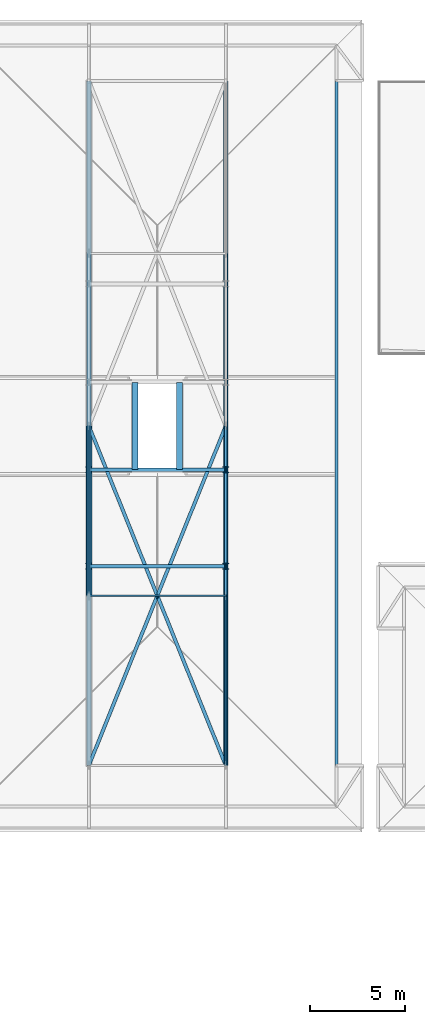
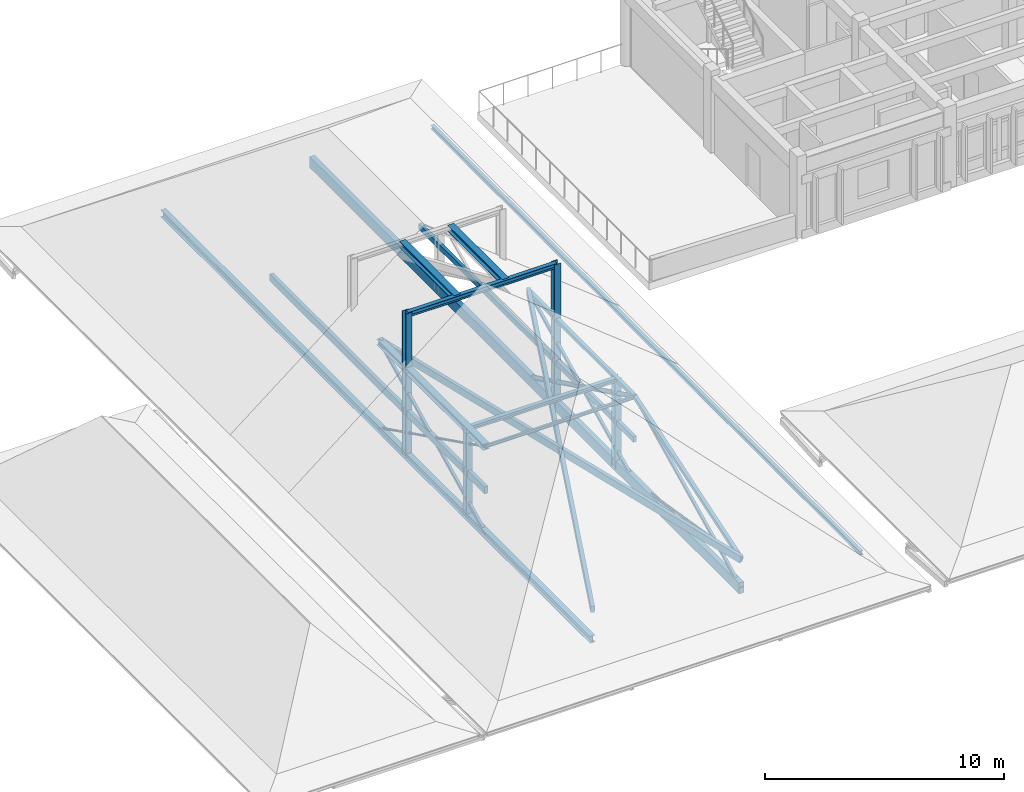
# One storey, part 3 of 51: 21 members, 4 beams.
"""IFC4 building model written with IfcOpenShell, lengths in metres."""

from ifc_helpers import new_model, si_unit, direction, frame, origin, origin_2d, place, context, subcontext, project, spatial, rectangle, hollow_rectangle, hollow_circle, i_section, extrude, material, material_profile, profile_set, type_object, element, save


model = new_model("IFC4")

# Units and contexts
model_context = context("Model", 3, precision=1e-05, world=origin(), true_north=direction((0.0, 1.0)))
body_context = subcontext(model_context, "Body", "Model", "MODEL_VIEW")
ifc_project = project(units=[si_unit("LENGTHUNIT", "METRE"), si_unit("AREAUNIT", "SQUARE_METRE"), si_unit("VOLUMEUNIT", "CUBIC_METRE"), si_unit("PLANEANGLEUNIT", "RADIAN"), si_unit("MASSUNIT", "GRAM", prefix="KILO")], contexts=[model_context])

# Site, building, storey
site_placement = place(None, origin())
site = spatial("IfcSite", under=ifc_project, at=site_placement, CompositionType="ELEMENT")
building_placement = place(site_placement, origin())
building = spatial("IfcBuilding", under=site, at=building_placement, Name="Steenspoor Specialist Clinic", CompositionType="ELEMENT")
storey_placement = place(building_placement, frame((0.0, 0.0, 17.39990234375)))
storey = spatial("IfcBuildingStorey", under=building, at=storey_placement, Name="L04", CompositionType="ELEMENT", Elevation=17.39990234375)

# Beams
ifc_material_1 = material(Name="Glulam GL28h", Category="wood")
ifc_material_profile_1 = material_profile(ifc_material_1, rectangle(XDim=0.239990234375, YDim=0.56005859375, at=origin_2d()), Name="GL28H-240X560")
ifc_profile_set_1 = profile_set([ifc_material_profile_1], Name="Glulam GL28h")
beam_type_1 = type_object("IfcBeamType", Name="BM-GL-240X560", PredefinedType="BEAM", material=ifc_profile_set_1)
beam_1_placement = place(storey_placement, frame((44.39990234375, 72.35009765625, 0.300048828125), z_axis=(0.0, 1.0, 0.0), x_axis=(-1.0, 0.0, 0.0)))
element("IfcBeam", 1, at=beam_1_placement, inside=storey, type_object=beam_type_1, Name="ROOF TRUSS Bottom Tie Chord V5 3", PredefinedType="BEAM", context=body_context, shape_type="SweptSolid", body=[
    extrude(rectangle(XDim=0.239990234375, YDim=0.56005859375, at=origin_2d()), origin(), (0.0, 0.0, 1.0), 36.0),
])
ifc_material_2 = material(Name="Steel A992 Grade 50", Category="steel")
ifc_material_profile_2 = material_profile(ifc_material_2, i_section(OverallWidth=0.2041015625, OverallDepth=0.2060546875, WebThickness=0.0078125, FlangeThickness=0.0126953125, at=origin_2d()), Name="W200X52")
ifc_profile_set_2 = profile_set([ifc_material_profile_2], Name="Steel A992 Grade 50")
beam_type_2 = type_object("IfcBeamType", Name="BM-ST-W200X52", PredefinedType="JOIST", material=ifc_profile_set_2)
beam_2_placement = place(storey_placement, frame((37.199951171875, 82.822021484375, 4.6484375), z_axis=(1.0, 0.0, 0.0), x_axis=(0.0, 1.0, 0.0)))
element("IfcBeam", 2, at=beam_2_placement, inside=storey, type_object=beam_type_2, Name="Roof Sub-Facet Bearer V5 M S", PredefinedType="JOIST", context=body_context, shape_type="SweptSolid", body=[
    extrude(i_section(OverallWidth=0.2041015625, OverallDepth=0.2060546875, WebThickness=0.0078125, FlangeThickness=0.0126953125, at=origin_2d()), origin(), (0.0, 0.0, 1.0), 7.199951171875),
])
ifc_material_profile_3 = material_profile(ifc_material_2, i_section(OverallWidth=0.202880859375, OverallDepth=0.251953125, WebThickness=0.008056640625, FlangeThickness=0.013427734375, at=origin_2d()), Name="W250X58")
ifc_profile_set_3 = profile_set([ifc_material_profile_3], Name="Steel A992 Grade 50")
beam_type_3 = type_object("IfcBeamType", Name="BM-ST-W250X58", PredefinedType="JOIST", material=ifc_profile_set_3)
beam_3_placement = place(storey_placement, frame((37.199951171875, 87.89990234375, 7.4140625), z_axis=(1.0, 0.0, 0.0), x_axis=(0.0, 1.0, 0.0)))
element("IfcBeam", 3, at=beam_3_placement, inside=storey, type_object=beam_type_3, Name="Roof Curb Trimmer Beam V5 1", PredefinedType="JOIST", context=body_context, shape_type="SweptSolid", body=[
    extrude(i_section(OverallWidth=0.202880859375, OverallDepth=0.251953125, WebThickness=0.008056640625, FlangeThickness=0.013427734375, at=origin_2d()), origin(), (0.0, 0.0, 1.0), 7.199951171875),
])
ifc_material_profile_4 = material_profile(ifc_material_2, i_section(OverallWidth=0.25390625, OverallDepth=0.35302734375, WebThickness=0.009521484375, FlangeThickness=0.016357421875, at=origin_2d()), Name="W360X91")
ifc_profile_set_4 = profile_set([ifc_material_profile_4], Name="Steel A992 Grade 50")
beam_type_4 = type_object("IfcBeamType", Name="BM-ST-W360X91", PredefinedType="BEAM", material=ifc_profile_set_4)
beam_4_placement = place(storey_placement, frame((37.199951171875, 72.35009765625, 0.196533203125), z_axis=(0.0, 1.0, 0.0), x_axis=(-1.0, 0.0, 0.0)))
element("IfcBeam", 4, at=beam_4_placement, inside=storey, type_object=beam_type_4, Name="ROOF TRUSS Bottom Tie Chord V5 2", PredefinedType="BEAM", context=body_context, shape_type="SweptSolid", body=[
    extrude(i_section(OverallWidth=0.25390625, OverallDepth=0.35302734375, WebThickness=0.009521484375, FlangeThickness=0.016357421875, at=origin_2d()), origin(), (0.0, 0.0, 1.0), 36.0),
])

# Members
ifc_material_3 = material(Name="Steel A500 Grade C", Category="steel")
ifc_material_profile_5 = material_profile(ifc_material_3, hollow_rectangle(XDim=0.126953125, YDim=0.126953125, WallThickness=0.0087890625, at=origin_2d()), Name="HSS127X127X9.5")
ifc_profile_set_5 = profile_set([ifc_material_profile_5], Name="Steel A500 Grade C")
member_type_1 = type_object("IfcMemberType", Name="MEM-BRACE-H127A", PredefinedType="BRACE", material=ifc_profile_set_5)
member_1_placement = place(storey_placement, frame((37.199951171875, 81.27490234375, 0.196533203125), z_axis=(0.0, 0.895556112499, 0.444948591824), x_axis=(-1.0, 0.0, 0.0)))
element("IfcMember", 5, at=member_1_placement, inside=storey, type_object=member_type_1, Name="ROOF TRUSS Web Brace V5 2.2", PredefinedType="BRACE", context=body_context, shape_type="SweptSolid", body=[
    extrude(hollow_rectangle(XDim=0.126953125, YDim=0.126953125, WallThickness=0.0087890625, at=origin_2d()), origin(), (0.0, 0.0, 1.0), 9.9658203125),
])
member_2_placement = place(storey_placement, frame((44.39990234375, 72.35009765625, 0.300048828125), z_axis=(0.0, 0.897645003293, 0.440719239498), x_axis=(-1.0, 0.0, 0.0)))
element("IfcMember", 6, at=member_2_placement, inside=storey, type_object=member_type_1, Name="ROOF TRUSS Web Brace V5 3.1", PredefinedType="BRACE", context=body_context, shape_type="SweptSolid", body=[
    extrude(hollow_rectangle(XDim=0.126953125, YDim=0.126953125, WallThickness=0.0087890625, at=origin_2d()), origin(), (0.0, 0.0, 1.0), 9.9423828125),
])
ifc_material_profile_6 = material_profile(ifc_material_3, hollow_rectangle(XDim=0.126953125, YDim=0.126953125, WallThickness=0.005859375, at=origin_2d()), Name="HSS127X127X6.4")
ifc_profile_set_6 = profile_set([ifc_material_profile_6], Name="Steel A500 Grade C")
member_type_2 = type_object("IfcMemberType", Name="MEM-BRACE-H127B", PredefinedType="BRACE", material=ifc_profile_set_6)
member_3_placement = place(storey_placement, frame((44.39990234375, 81.27490234375, 0.300048828125), z_axis=(0.0, 0.897649772603, 0.440709525363), x_axis=(-1.0, 0.0, 0.0)))
element("IfcMember", 7, at=member_3_placement, inside=storey, type_object=member_type_2, Name="ROOF TRUSS Web Brace V5 3.2", PredefinedType="BRACE", context=body_context, shape_type="SweptSolid", body=[
    extrude(hollow_rectangle(XDim=0.126953125, YDim=0.126953125, WallThickness=0.005859375, at=origin_2d()), origin(), (0.0, 0.0, 1.0), 9.942626953125),
])
ifc_material_profile_7 = material_profile(ifc_material_3, hollow_rectangle(XDim=0.177734375, YDim=0.177734375, WallThickness=0.0087890625, at=origin_2d()), Name="HSS178X178X9.5")
ifc_profile_set_7 = profile_set([ifc_material_profile_7], Name="Steel A500 Grade C")
member_type_3 = type_object("IfcMemberType", Name="MEM-CHORD-H178", PredefinedType="CHORD", material=ifc_profile_set_7)
member_4_placement = place(storey_placement, frame((44.39990234375, 72.35009765625, 1.774169921875), z_axis=(0.0, 0.950809803425, 0.30977526969), x_axis=(-1.0, 0.0, 0.0)))
element("IfcMember", 8, at=member_4_placement, inside=storey, type_object=member_type_3, Name="ROOF TRUSS Top Chord V5 3.1", PredefinedType="CHORD", context=body_context, shape_type="SweptSolid", body=[
    extrude(hollow_rectangle(XDim=0.177734375, YDim=0.177734375, WallThickness=0.0087890625, at=origin_2d()), origin(), (0.0, 0.0, 1.0), 9.386474609375),
])
member_5_placement = place(storey_placement, frame((44.39990234375, 81.27490234375, 4.681884765625), z_axis=(0.0, 1.0, 0.0), x_axis=(-1.0, 0.0, 0.0)))
element("IfcMember", 9, at=member_5_placement, inside=storey, type_object=member_type_3, Name="ROOF TRUSS Top Chord V5 3.2", PredefinedType="CHORD", context=body_context, shape_type="SweptSolid", body=[
    extrude(hollow_rectangle(XDim=0.177734375, YDim=0.177734375, WallThickness=0.0087890625, at=origin_2d()), origin(), (0.0, 0.0, 1.0), 8.925048828125),
])
ifc_material_profile_8 = material_profile(ifc_material_2, i_section(OverallWidth=0.304931640625, OverallDepth=0.30810546875, WebThickness=0.010009765625, FlangeThickness=0.015380859375, at=origin_2d()), Name="W310X97")
ifc_profile_set_8 = profile_set([ifc_material_profile_8], Name="Steel A992 Grade 50")
member_type_4 = type_object("IfcMemberType", Name="MEM-CHORD-W310", PredefinedType="CHORD", material=ifc_profile_set_8)
member_6_placement = place(storey_placement, frame((37.199951171875, 81.27490234375, 4.630859375), z_axis=(0.0, 1.0, 0.0), x_axis=(-1.0, 0.0, 0.0)))
element("IfcMember", 10, at=member_6_placement, inside=storey, type_object=member_type_4, Name="ROOF TRUSS Top Chord V5 2.2", PredefinedType="CHORD", context=body_context, shape_type="SweptSolid", body=[
    extrude(i_section(OverallWidth=0.304931640625, OverallDepth=0.30810546875, WebThickness=0.010009765625, FlangeThickness=0.015380859375, at=origin_2d()), origin(), (0.0, 0.0, 1.0), 8.925048828125),
])
for number, where, z_axis, x_axis, name in (
    (11, (37.199951171875, 87.89990234375, 0.2001953125), (0.0, 0.0, 1.0), (1.0, 0.0, 0.0), "ROOF TRUSS Web Post Curb V5 1L"),
    (12, (44.39990234375, 87.89990234375, 0.2001953125), (0.0, 0.0, 1.0), (1.0, 0.0, 0.0), "ROOF TRUSS Web Post Curb V5 1R"),
):
    element("IfcMember", number, at=place(storey_placement, frame(where, z_axis=z_axis, x_axis=x_axis)), inside=storey, type_object=member_type_4, Name=name, PredefinedType="CHORD", context=body_context, shape_type="SweptSolid", body=[
        extrude(i_section(OverallWidth=0.304931640625, OverallDepth=0.30810546875, WebThickness=0.010009765625, FlangeThickness=0.015380859375, at=origin_2d()), origin(), (0.0, 0.0, 1.0), 7.333984375),
    ])
for number, where, z_axis, x_axis, name in (
    (13, (39.6298828125, 87.89990234375, 7.385986328125), (0.0, 1.0, 0.0), (-1.0, 0.0, 0.0), "ROOF TRUSS Curb Cross Chord V5 1"),
    (14, (41.969970703125, 87.89990234375, 7.385986328125), (0.0, 1.0, 0.0), (-1.0, 0.0, 0.0), "ROOF TRUSS Curb Cross Chord V5 2"),
):
    element("IfcMember", number, at=place(storey_placement, frame(where, z_axis=z_axis, x_axis=x_axis)), inside=storey, type_object=member_type_4, Name=name, PredefinedType="CHORD", context=body_context, shape_type="SweptSolid", body=[
        extrude(i_section(OverallWidth=0.304931640625, OverallDepth=0.30810546875, WebThickness=0.010009765625, FlangeThickness=0.015380859375, at=origin_2d()), origin(), (0.0, 0.0, 1.0), 4.60009765625),
    ])
member_7_placement = place(storey_placement, frame((37.199951171875, 82.822021484375, 0.18017578125), z_axis=(0.0, 0.0, 1.0), x_axis=(1.0, 0.0, 0.0)))
element("IfcMember", 15, at=member_7_placement, inside=storey, type_object=member_type_4, Name="ROOF TRUSS Web Post Sub-Facet V5 MSL", PredefinedType="CHORD", context=body_context, shape_type="SweptSolid", body=[
    extrude(i_section(OverallWidth=0.304931640625, OverallDepth=0.30810546875, WebThickness=0.010009765625, FlangeThickness=0.015380859375, at=origin_2d()), origin(), (0.0, 0.0, 1.0), 4.54833984375),
])
member_8_placement = place(storey_placement, frame((44.39990234375, 82.822021484375, 0.18017578125), z_axis=(0.0, 0.0, 1.0), x_axis=(1.0, 0.0, 0.0)))
element("IfcMember", 16, at=member_8_placement, inside=storey, type_object=member_type_4, Name="ROOF TRUSS Web Post Sub-Facet V5 MSR", PredefinedType="CHORD", context=body_context, shape_type="SweptSolid", body=[
    extrude(i_section(OverallWidth=0.304931640625, OverallDepth=0.30810546875, WebThickness=0.010009765625, FlangeThickness=0.015380859375, at=origin_2d()), origin(), (0.0, 0.0, 1.0), 4.58154296875),
])
ifc_material_profile_9 = material_profile(ifc_material_2, i_section(OverallWidth=0.10205078125, OverallDepth=0.159912109375, WebThickness=0.006591796875, FlangeThickness=0.01025390625, at=origin_2d()), Name="W150X24")
ifc_profile_set_9 = profile_set([ifc_material_profile_9], Name="Steel A992 Grade 50")
member_type_5 = type_object("IfcMemberType", Name="MEM-PURLIN-W150", PredefinedType="PURLIN", material=ifc_profile_set_9)
member_9_placement = place(storey_placement, frame((37.199951171875, 81.27490234375, 4.67138671875), z_axis=(1.0, 0.0, 0.0), x_axis=(0.0, 1.0, 0.0)))
element("IfcMember", 17, at=member_9_placement, inside=storey, type_object=member_type_5, Name="ROOF TRUSS Purlin 444", PredefinedType="PURLIN", context=body_context, shape_type="SweptSolid", body=[
    extrude(i_section(OverallWidth=0.10205078125, OverallDepth=0.159912109375, WebThickness=0.006591796875, FlangeThickness=0.01025390625, at=origin_2d()), origin(), (0.0, 0.0, 1.0), 7.199951171875),
])
ifc_material_profile_10 = material_profile(ifc_material_2, i_section(OverallWidth=0.1650390625, OverallDepth=0.200927734375, WebThickness=0.006103515625, FlangeThickness=0.01025390625, at=origin_2d()), Name="W200X36")
ifc_profile_set_10 = profile_set([ifc_material_profile_10], Name="Steel A992 Grade 50")
member_type_6 = type_object("IfcMemberType", Name="MEM-PURLIN-W200", PredefinedType="PURLIN", material=ifc_profile_set_10)
member_10_placement = place(storey_placement, frame((50.219970703125, 72.35009765625, 0.041748046875), z_axis=(0.0, 1.0, 0.0), x_axis=(-1.0, 0.0, 0.0)))
element("IfcMember", 18, at=member_10_placement, inside=storey, type_object=member_type_6, Name="ROOF TRUSS Knuckle Purlin 441", PredefinedType="PURLIN", context=body_context, shape_type="SweptSolid", body=[
    extrude(i_section(OverallWidth=0.1650390625, OverallDepth=0.200927734375, WebThickness=0.006103515625, FlangeThickness=0.01025390625, at=origin_2d()), origin(), (0.0, 0.0, 1.0), 36.0),
])
ifc_material_profile_11 = material_profile(ifc_material_1, rectangle(XDim=0.159912109375, YDim=0.280029296875, at=origin_2d()), Name="GL28H-160X280")
ifc_profile_set_11 = profile_set([ifc_material_profile_11], Name="Glulam GL28h")
member_type_7 = type_object("IfcMemberType", Name="MEM-RAFTER-GL280", PredefinedType="RAFTER", material=ifc_profile_set_11)
member_11_placement = place(storey_placement, frame((44.39990234375, 81.27490234375, 2.490478515625), z_axis=(0.0, 1.0, 0.0), x_axis=(-1.0, 0.0, 0.0)))
element("IfcMember", 19, at=member_11_placement, inside=storey, type_object=member_type_7, Name="ROOF TRUSS Glulam Collar Rafter V5 3", PredefinedType="RAFTER", context=body_context, shape_type="SweptSolid", body=[
    extrude(rectangle(XDim=0.159912109375, YDim=0.280029296875, at=origin_2d()), origin(), (0.0, 0.0, 1.0), 18.0),
])
ifc_material_profile_12 = material_profile(ifc_material_1, rectangle(XDim=0.179931640625, YDim=0.360107421875, at=origin_2d()), Name="GL28H-180X360")
ifc_profile_set_12 = profile_set([ifc_material_profile_12], Name="Glulam GL28h")
member_type_8 = type_object("IfcMemberType", Name="MEM-RAFTER-GL360", PredefinedType="RAFTER", material=ifc_profile_set_12)
member_12_placement = place(storey_placement, frame((37.199951171875, 81.27490234375, 2.4130859375), z_axis=(0.0, 1.0, 0.0), x_axis=(-1.0, 0.0, 0.0)))
element("IfcMember", 20, at=member_12_placement, inside=storey, type_object=member_type_8, Name="ROOF TRUSS Glulam Collar Rafter V5 2", PredefinedType="RAFTER", context=body_context, shape_type="SweptSolid", body=[
    extrude(rectangle(XDim=0.179931640625, YDim=0.360107421875, at=origin_2d()), origin(), (0.0, 0.0, 1.0), 18.0),
])
member_13_placement = place(storey_placement, frame((37.199951171875, 72.35009765625, 1.72314453125), z_axis=(0.369733884177, 0.916630615233, 0.151938046941), x_axis=(-0.927397684622, 0.37407690995, 0.0)))
element("IfcMember", 21, at=member_13_placement, inside=storey, type_object=member_type_8, Name="ROOF TRUSS Hip Rafter V5 447", PredefinedType="RAFTER", context=body_context, shape_type="SweptSolid", body=[
    extrude(rectangle(XDim=0.179931640625, YDim=0.360107421875, at=origin_2d()), origin(), (0.0, 0.0, 1.0), 19.473388671875),
])
member_14_placement = place(storey_placement, frame((44.39990234375, 72.35009765625, 1.774169921875), z_axis=(-0.370023543111, 0.917348726983, 0.146812433554), x_axis=(-0.927397684622, -0.37407690995, 0.0)))
element("IfcMember", 22, at=member_14_placement, inside=storey, type_object=member_type_8, Name="ROOF TRUSS Hip Rafter V5 449", PredefinedType="RAFTER", context=body_context, shape_type="SweptSolid", body=[
    extrude(rectangle(XDim=0.179931640625, YDim=0.360107421875, at=origin_2d()), origin(), (0.0, 0.0, 1.0), 19.4580078125),
])
ifc_material_profile_13 = material_profile(ifc_material_3, hollow_circle(Radius=0.05712890625, WallThickness=0.006103515625, at=origin_2d()), Name="CHS114X6.0")
ifc_profile_set_13 = profile_set([ifc_material_profile_13], Name="Steel A500 Grade C")
member_type_9 = type_object("IfcMemberType", Name="MEM-STRUT-CHS114", PredefinedType="STRUT", material=ifc_profile_set_13)
member_15_placement = place(storey_placement, frame((37.199951171875, 81.27490234375, 4.630859375), z_axis=(0.0, 0.895556112499, -0.444948591824), x_axis=(-1.0, 0.0, 0.0)))
element("IfcMember", 23, at=member_15_placement, inside=storey, type_object=member_type_9, Name="ROOF TRUSS Web Strut V5 2.2", PredefinedType="STRUT", context=body_context, shape_type="SweptSolid", body=[
    extrude(hollow_circle(Radius=0.05712890625, WallThickness=0.006103515625, at=origin_2d()), origin(), (0.0, 0.0, 1.0), 9.9658203125),
])
member_16_placement = place(storey_placement, frame((44.39990234375, 72.35009765625, 1.774169921875), z_axis=(0.0, 0.986632138443, -0.162963257794), x_axis=(-1.0, 0.0, 0.0)))
element("IfcMember", 24, at=member_16_placement, inside=storey, type_object=member_type_9, Name="ROOF TRUSS Web Strut V5 3.1", PredefinedType="STRUT", context=body_context, shape_type="SweptSolid", body=[
    extrude(hollow_circle(Radius=0.05712890625, WallThickness=0.006103515625, at=origin_2d()), origin(), (0.0, 0.0, 1.0), 9.045654296875),
])
ifc_material_profile_14 = material_profile(ifc_material_3, hollow_circle(Radius=0.109619140625, WallThickness=0.00830078125, at=origin_2d()), Name="CHS219X8.2")
ifc_profile_set_14 = profile_set([ifc_material_profile_14], Name="Steel A500 Grade C")
member_type_10 = type_object("IfcMemberType", Name="MEM-STRUT-CHS219", PredefinedType="STRUT", material=ifc_profile_set_14)
member_17_placement = place(storey_placement, frame((44.39990234375, 81.27490234375, 4.681884765625), z_axis=(0.0, 0.897649772603, -0.440709525363), x_axis=(-1.0, 0.0, 0.0)))
element("IfcMember", 25, at=member_17_placement, inside=storey, type_object=member_type_10, Name="ROOF TRUSS Web Strut V5 3.2", PredefinedType="STRUT", context=body_context, shape_type="SweptSolid", body=[
    extrude(hollow_circle(Radius=0.109619140625, WallThickness=0.00830078125, at=origin_2d()), origin(), (0.0, 0.0, 1.0), 9.942626953125),
])

save(model, "model.ifc")
